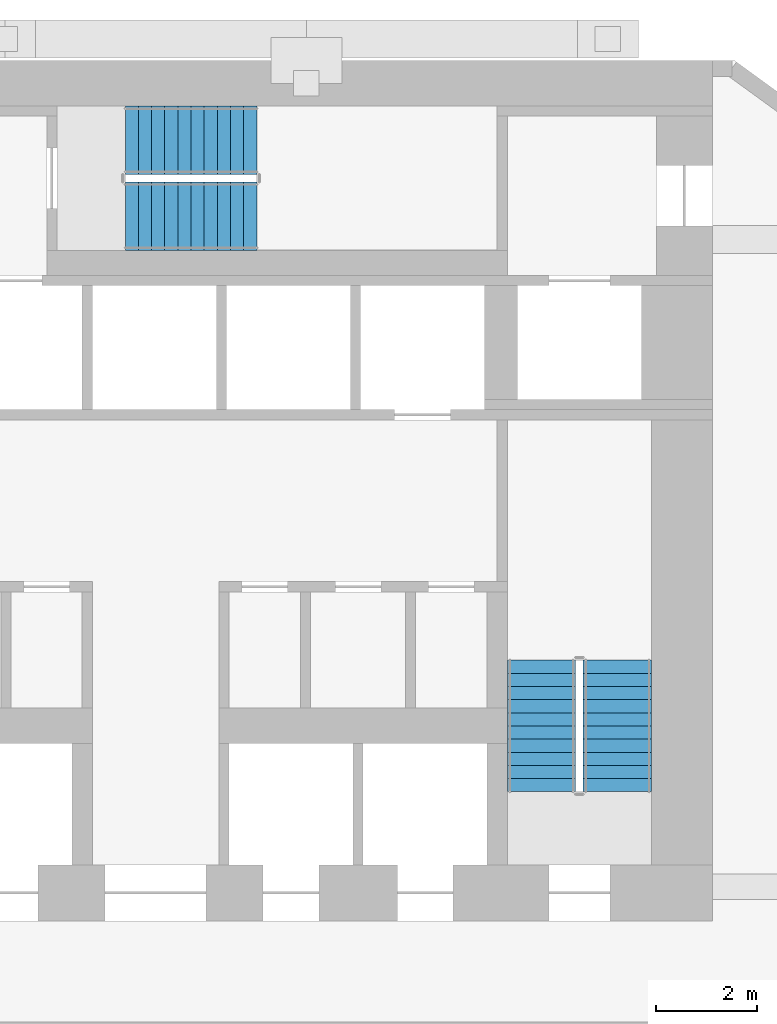
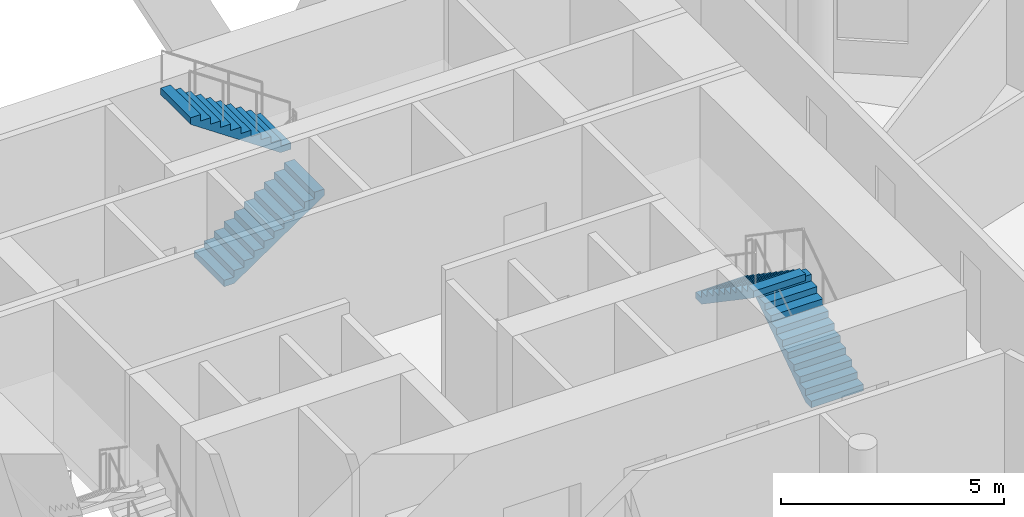
# One storey, part 8 of 10: 4 stair flights, 2 elements without a shape of their own.
"""IFC4 building model written with IfcOpenShell, lengths in metres."""

from ifc_helpers import new_model, si_unit, direction, frame, origin, place, context, subcontext, project, spatial, polyline, outline, extrude, material, layer, layer_set, type_object, element, aggregate, save


model = new_model("IFC4")

# Units and contexts
model_context = context("Model", 3, precision=1e-05, world=origin(), true_north=direction((0.0, 1.0)))
body_context = subcontext(model_context, "Body", "Model", "MODEL_VIEW")
ifc_project = project(units=[si_unit("LENGTHUNIT", "METRE"), si_unit("AREAUNIT", "SQUARE_METRE"), si_unit("VOLUMEUNIT", "CUBIC_METRE"), si_unit("PLANEANGLEUNIT", "RADIAN"), si_unit("MASSUNIT", "GRAM", prefix="KILO")], contexts=[model_context])

# Site, building, storey
site_placement = place(None, origin())
site = spatial("IfcSite", under=ifc_project, at=site_placement, CompositionType="ELEMENT")
building_placement = place(site_placement, origin())
building = spatial("IfcBuilding", under=site, at=building_placement, Name="White Candle Pilgrim Tower", CompositionType="ELEMENT")
storey_placement = place(building_placement, frame((0.0, 0.0, 125.89990234375)))
storey = spatial("IfcBuildingStorey", under=building, at=storey_placement, Name="L28", CompositionType="ELEMENT", Elevation=125.89990234375)

# Stair, stair flights
ifc_material = material(Name="Concrete C40/50", Category="concrete")
stair_type_1 = type_object("IfcStairType", Name="Exit stair 2 flight width 1350 mm", PredefinedType="HALF_TURN_STAIR", material=ifc_material)
stair_1_placement = place(storey_placement, origin())
stair_1 = element("IfcStair", 1, at=stair_1_placement, inside=storey, type_object=stair_type_1, Name="L28 stair 2", PredefinedType="NOTDEFINED")
ifc_layer = layer(ifc_material, 0.14990234375)
ifc_layer_set = layer_set([ifc_layer], Name="Stair flight Concrete C40/50")
stair_flight_type = type_object("IfcStairFlightType", Name="Stair flight Concrete C40/50", PredefinedType="STRAIGHT", material=ifc_layer_set)
stair_flight_1_placement = place(storey_placement, frame((79.125, 73.550048828125, 0.0), z_axis=(0.0, 0.0, 1.0), x_axis=(0.0, 1.0, 0.0)))
stair_flight_1 = element("IfcStairFlight", 2, at=stair_flight_1_placement, type_object=stair_flight_type, Name="ST2 flight 1", NumberOfRisers=11, NumberOfTreads=10, PredefinedType="NOTDEFINED", RiserHeight=0.177272727, TreadLength=0.26, context=body_context, shape_type="SweptSolid", body=[
    extrude(outline(polyline([(0.0, 0.0), (0.0, 0.17724609375), (0.260009765625, 0.17724609375), (0.260009765625, 0.3544921875), (0.52001953125, 0.3544921875), (0.52001953125, 0.53173828125), (0.780029296875, 0.53173828125), (0.780029296875, 0.708984375), (1.0400390625, 0.708984375), (1.0400390625, 0.886474609375), (1.300048828125, 0.886474609375), (1.300048828125, 1.063720703125), (1.56005859375, 1.063720703125), (1.56005859375, 1.240966796875), (1.820068359375, 1.240966796875), (1.820068359375, 1.418212890625), (2.080078125, 1.418212890625), (2.080078125, 1.595458984375), (2.340087890625, 1.595458984375), (2.340087890625, 1.772705078125), (2.60009765625, 1.772705078125), (2.60009765625, 1.949951171875), (2.60009765625, 1.59130859375), (0.26611328125, 0.0), (0.0, 0.0)])), frame((0.0, 0.675048828125, 0.0), z_axis=(0.0, -1.0, 0.0), x_axis=(1.0, 0.0, 0.0)), (0.0, 0.0, 1.0), 1.35009765625),
])
stair_flight_2_placement = place(storey_placement, frame((77.625, 76.14990234375, 1.9501953125), z_axis=(0.0, 0.0, 1.0), x_axis=(0.0, -1.0, 0.0)))
stair_flight_2 = element("IfcStairFlight", 3, at=stair_flight_2_placement, type_object=stair_flight_type, Name="ST2 flight 2", NumberOfRisers=11, NumberOfTreads=10, PredefinedType="NOTDEFINED", RiserHeight=0.177272727, TreadLength=0.26, context=body_context, shape_type="SweptSolid", body=[
    extrude(outline(polyline([(0.0, 0.0), (0.0, 0.17724609375), (0.260009765625, 0.17724609375), (0.260009765625, 0.3544921875), (0.52001953125, 0.3544921875), (0.52001953125, 0.53173828125), (0.780029296875, 0.53173828125), (0.780029296875, 0.708984375), (1.0400390625, 0.708984375), (1.0400390625, 0.886474609375), (1.300048828125, 0.886474609375), (1.300048828125, 1.063720703125), (1.56005859375, 1.063720703125), (1.56005859375, 1.240966796875), (1.820068359375, 1.240966796875), (1.820068359375, 1.418212890625), (2.080078125, 1.418212890625), (2.080078125, 1.595458984375), (2.340087890625, 1.595458984375), (2.340087890625, 1.772705078125), (2.60009765625, 1.772705078125), (2.60009765625, 1.949951171875), (2.60009765625, 1.59130859375), (0.26611328125, 0.0), (0.0, 0.0)])), frame((0.0, 0.675048828125, 0.0), z_axis=(0.0, -1.0, 0.0), x_axis=(1.0, 0.0, 0.0)), (0.0, 0.0, 1.0), 1.35009765625),
])
aggregate(stair_1, [stair_flight_1, stair_flight_2])

stair_type_2 = type_object("IfcStairType", Name="Exit stair 3 flight width 1350 mm", PredefinedType="HALF_TURN_STAIR", material=ifc_material)
stair_2_placement = place(storey_placement, origin())
stair_2 = element("IfcStair", 4, at=stair_2_placement, inside=storey, type_object=stair_type_2, Name="L28 stair 3", PredefinedType="NOTDEFINED")
stair_flight_3_placement = place(storey_placement, frame((69.39990234375, 84.925048828125, 0.0), z_axis=(0.0, 0.0, 1.0), x_axis=(1.0, 0.0, 0.0)))
stair_flight_3 = element("IfcStairFlight", 5, at=stair_flight_3_placement, type_object=stair_flight_type, Name="ST3 flight 1", NumberOfRisers=11, NumberOfTreads=10, PredefinedType="NOTDEFINED", RiserHeight=0.177272727, TreadLength=0.26, context=body_context, shape_type="SweptSolid", body=[
    extrude(outline(polyline([(0.0, 0.0), (0.0, 0.17724609375), (0.260009765625, 0.17724609375), (0.260009765625, 0.3544921875), (0.52001953125, 0.3544921875), (0.52001953125, 0.53173828125), (0.780029296875, 0.53173828125), (0.780029296875, 0.708984375), (1.0400390625, 0.708984375), (1.0400390625, 0.886474609375), (1.300048828125, 0.886474609375), (1.300048828125, 1.063720703125), (1.56005859375, 1.063720703125), (1.56005859375, 1.240966796875), (1.820068359375, 1.240966796875), (1.820068359375, 1.418212890625), (2.080078125, 1.418212890625), (2.080078125, 1.595458984375), (2.340087890625, 1.595458984375), (2.340087890625, 1.772705078125), (2.60009765625, 1.772705078125), (2.60009765625, 1.949951171875), (2.60009765625, 1.59130859375), (0.26611328125, 0.0), (0.0, 0.0)])), frame((0.0, 0.675048828125, 0.0), z_axis=(0.0, -1.0, 0.0), x_axis=(1.0, 0.0, 0.0)), (0.0, 0.0, 1.0), 1.35009765625),
])
stair_flight_4_placement = place(storey_placement, frame((72.0, 86.425048828125, 1.9501953125), z_axis=(0.0, 0.0, 1.0), x_axis=(-1.0, 0.0, 0.0)))
stair_flight_4 = element("IfcStairFlight", 6, at=stair_flight_4_placement, type_object=stair_flight_type, Name="ST3 flight 2", NumberOfRisers=11, NumberOfTreads=10, PredefinedType="NOTDEFINED", RiserHeight=0.177272727, TreadLength=0.26, context=body_context, shape_type="SweptSolid", body=[
    extrude(outline(polyline([(0.0, 0.0), (0.0, 0.17724609375), (0.260009765625, 0.17724609375), (0.260009765625, 0.3544921875), (0.52001953125, 0.3544921875), (0.52001953125, 0.53173828125), (0.780029296875, 0.53173828125), (0.780029296875, 0.708984375), (1.0400390625, 0.708984375), (1.0400390625, 0.886474609375), (1.300048828125, 0.886474609375), (1.300048828125, 1.063720703125), (1.56005859375, 1.063720703125), (1.56005859375, 1.240966796875), (1.820068359375, 1.240966796875), (1.820068359375, 1.418212890625), (2.080078125, 1.418212890625), (2.080078125, 1.595458984375), (2.340087890625, 1.595458984375), (2.340087890625, 1.772705078125), (2.60009765625, 1.772705078125), (2.60009765625, 1.949951171875), (2.60009765625, 1.59130859375), (0.26611328125, 0.0), (0.0, 0.0)])), frame((0.0, 0.675048828125, 0.0), z_axis=(0.0, -1.0, 0.0), x_axis=(1.0, 0.0, 0.0)), (0.0, 0.0, 1.0), 1.35009765625),
])
aggregate(stair_2, [stair_flight_3, stair_flight_4])

save(model, "model.ifc")
